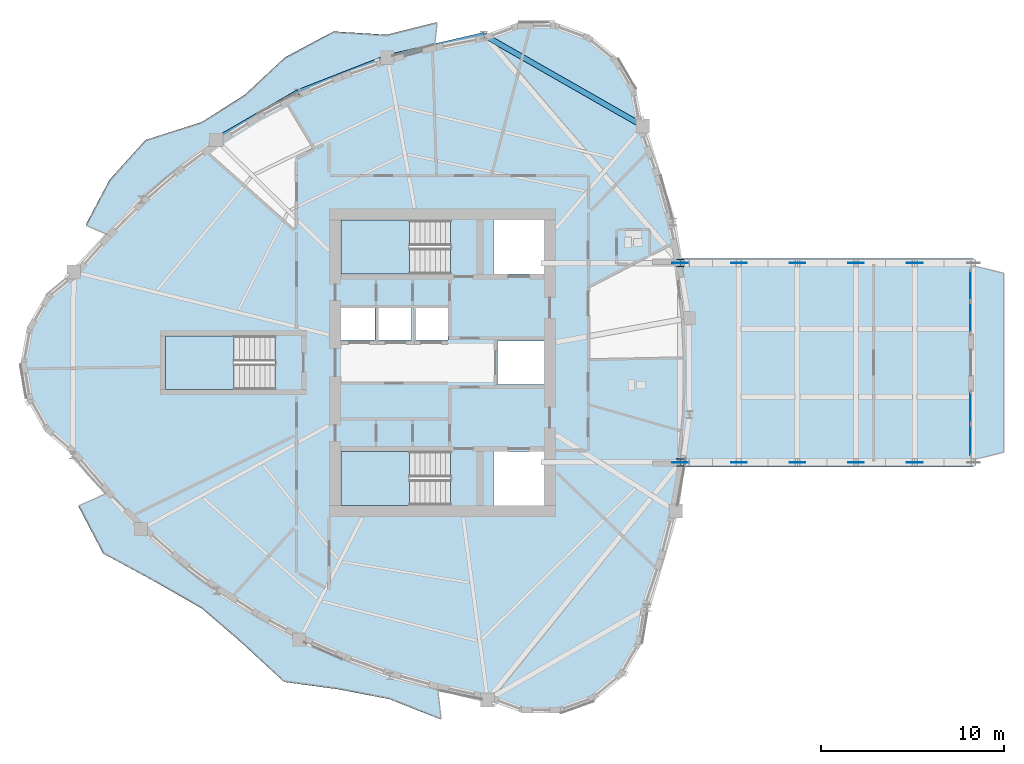
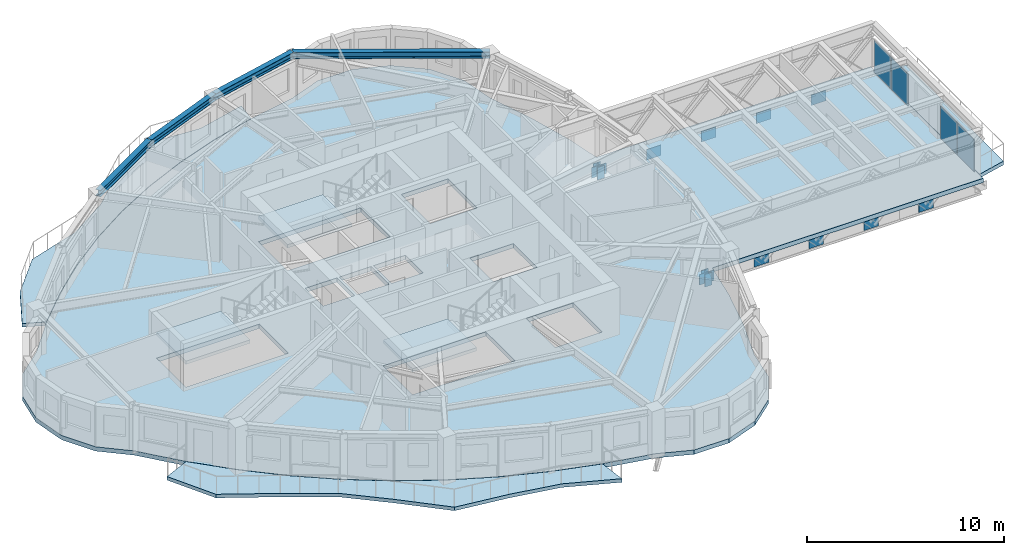
# One storey, part 3 of 13: 14 plates, 7 slabs, 4 beams, 2 members, 5 elements without a shape of their own.
"""IFC4 building model written with IfcOpenShell, lengths in metres."""

from ifc_helpers import new_model, si_unit, direction, frame, origin, origin_2d, place, context, subcontext, project, spatial, polyline, rectangle, i_section, outline, extrude, source, transform, mapped, material, layer, layer_set, material_profile, profile_set, type_object, element, aggregate, save


model = new_model("IFC4")

# Units and contexts
model_context = context("Model", 3, precision=1e-05, world=origin(), true_north=direction((0.0, 1.0)))
body_context = subcontext(model_context, "Body", "Model", "MODEL_VIEW")
ifc_project = project(units=[si_unit("LENGTHUNIT", "METRE"), si_unit("AREAUNIT", "SQUARE_METRE"), si_unit("VOLUMEUNIT", "CUBIC_METRE"), si_unit("PLANEANGLEUNIT", "RADIAN"), si_unit("MASSUNIT", "GRAM", prefix="KILO")], contexts=[model_context])

# Site, building, storey
site_placement = place(None, origin())
site = spatial("IfcSite", under=ifc_project, at=site_placement, CompositionType="ELEMENT")
building_placement = place(site_placement, origin())
building = spatial("IfcBuilding", under=site, at=building_placement, Name="Qafzar Sky-Pleat Residences", CompositionType="ELEMENT")
storey_placement = place(building_placement, frame((0.0, 0.0, 152.199951171875)))
storey = spatial("IfcBuildingStorey", under=building, at=storey_placement, Name="L45", CompositionType="ELEMENT", Elevation=152.199951171875)

# Members
ifc_material_1 = material(Name="Steel S460", Category="steel")
ifc_material_profile_1 = material_profile(ifc_material_1, i_section(OverallWidth=0.408935546875, OverallDepth=0.425048828125, WebThickness=0.030029296875, FlangeThickness=0.048095703125, FilletRadius=0.014892578125, at=origin_2d()), Name="HD 400x421")
ifc_profile_set_1 = profile_set([ifc_material_profile_1], Name="Steel S460")
member_type = type_object("IfcMemberType", Name="MEM-SB-POST", PredefinedType="POST", material=ifc_profile_set_1)
shared_shape_1 = source(origin(), body_context, "Body", "SweptSolid", [
    extrude(i_section(OverallWidth=0.408935546875, OverallDepth=0.425048828125, WebThickness=0.030029296875, FlangeThickness=0.048095703125, FilletRadius=0.014892578125, at=origin_2d()), origin(), (0.0, 0.0, 1.0), 0.780029296875),
])
for number, where, z_axis, x_axis, name in (
    (1, (43.35009765625, 31.449951171875, -1.06494140625), (0.0, 0.0, 1.0), (1.0, 0.0, 0.0), "SB-4 Root Truss Post L0"),
    (2, (43.35009765625, 20.550048828125, -1.06494140625), (0.0, 0.0, 1.0), (1.0, 0.0, 0.0), "SB-4 Root Truss Post R0"),
):
    element("IfcMember", number, at=place(storey_placement, frame(where, z_axis=z_axis, x_axis=x_axis)), inside=storey, type_object=member_type, Name=name, PredefinedType="POST", context=body_context, shape_type="MappedRepresentation", body=[
        mapped(shared_shape_1, transform((0.0, 0.0, 0.0), x_axis=(1.0, 0.0, 0.0), y_axis=(0.0, 1.0, 0.0), z_axis=(0.0, 0.0, 1.0), scale=1.0)),
    ])

# Beams
ifc_material_2 = material(Name="Steel S355", Category="steel")
ifc_material_profile_2 = material_profile(ifc_material_2, i_section(OverallWidth=0.300048828125, OverallDepth=0.39990234375, WebThickness=0.013427734375, FlangeThickness=0.02392578125, FilletRadius=0.027099609375, at=origin_2d()), Name="HEB 400")
ifc_profile_set_2 = profile_set([ifc_material_profile_2], Name="Steel S355")
beam_type = type_object("IfcBeamType", Name="BM-SPAN-HEB400", PredefinedType="SPANDREL", material=ifc_profile_set_2)
shared_shape_2 = source(origin(), body_context, "Body", "SweptSolid", [
    extrude(i_section(OverallWidth=0.300048828125, OverallDepth=0.39990234375, WebThickness=0.013427734375, FlangeThickness=0.02392578125, FilletRadius=0.027099609375, at=origin_2d()), origin(), (0.0, 0.0, 1.0), 10.017578125),
])
beam_1_placement = place(storey_placement, frame((41.31103515625, 38.954833984375, 2.733154296875), z_axis=(-0.868435045366, 0.495802956809, 0.0), x_axis=(-0.495802956809, -0.868435045366, 0.0)))
element("IfcBeam", 3, at=beam_1_placement, inside=storey, type_object=beam_type, Name="L45 Perimeter Spandrel Beam 13", PredefinedType="SPANDREL", context=body_context, shape_type="MappedRepresentation", body=[
    mapped(shared_shape_2, transform((0.0, 0.0, 0.0), x_axis=(1.0, 0.0, 0.0), y_axis=(0.0, 1.0, 0.0), z_axis=(0.0, 0.0, 1.0), scale=1.0)),
])
shared_shape_3 = source(origin(), body_context, "Body", "SweptSolid", [
    extrude(i_section(OverallWidth=0.300048828125, OverallDepth=0.39990234375, WebThickness=0.013427734375, FlangeThickness=0.02392578125, FilletRadius=0.027099609375, at=origin_2d()), origin(), (0.0, 0.0, 1.0), 5.415771484375),
])
beam_2_placement = place(storey_placement, frame((32.611328125, 43.921630859375, 2.733154296875), z_axis=(-0.974016815393, -0.226475701418, 0.0), x_axis=(0.226475701418, -0.974016815393, 0.0)))
element("IfcBeam", 4, at=beam_2_placement, inside=storey, type_object=beam_type, Name="L45 Perimeter Spandrel Beam 14", PredefinedType="SPANDREL", context=body_context, shape_type="MappedRepresentation", body=[
    mapped(shared_shape_3, transform((0.0, 0.0, 0.0), x_axis=(1.0, 0.0, 0.0), y_axis=(0.0, 1.0, 0.0), z_axis=(0.0, 0.0, 1.0), scale=1.0)),
])
shared_shape_4 = source(origin(), body_context, "Body", "SweptSolid", [
    extrude(i_section(OverallWidth=0.300048828125, OverallDepth=0.39990234375, WebThickness=0.013427734375, FlangeThickness=0.02392578125, FilletRadius=0.027099609375, at=origin_2d()), origin(), (0.0, 0.0, 1.0), 5.2412109375),
])
beam_3_placement = place(storey_placement, frame((27.336181640625, 42.695068359375, 2.733154296875), z_axis=(-0.931333468568, -0.364167503114, 0.0), x_axis=(0.364167503114, -0.931333468568, 0.0)))
element("IfcBeam", 5, at=beam_3_placement, inside=storey, type_object=beam_type, Name="L45 Perimeter Spandrel Beam 15", PredefinedType="SPANDREL", context=body_context, shape_type="MappedRepresentation", body=[
    mapped(shared_shape_4, transform((0.0, 0.0, 0.0), x_axis=(1.0, 0.0, 0.0), y_axis=(0.0, 1.0, 0.0), z_axis=(0.0, 0.0, 1.0), scale=1.0)),
])
shared_shape_5 = source(origin(), body_context, "Body", "SweptSolid", [
    extrude(i_section(OverallWidth=0.300048828125, OverallDepth=0.39990234375, WebThickness=0.013427734375, FlangeThickness=0.02392578125, FilletRadius=0.027099609375, at=origin_2d()), origin(), (0.0, 0.0, 1.0), 5.181884765625),
])
beam_4_placement = place(storey_placement, frame((22.454833984375, 40.786376953125, 2.733154296875), z_axis=(-0.866010618649, -0.500025607732, 0.0), x_axis=(0.500025607732, -0.866010618649, 0.0)))
element("IfcBeam", 6, at=beam_4_placement, inside=storey, type_object=beam_type, Name="L45 Perimeter Spandrel Beam 16", PredefinedType="SPANDREL", context=body_context, shape_type="MappedRepresentation", body=[
    mapped(shared_shape_5, transform((0.0, 0.0, 0.0), x_axis=(1.0, 0.0, 0.0), y_axis=(0.0, 1.0, 0.0), z_axis=(0.0, 0.0, 1.0), scale=1.0)),
])

# Slabs
ifc_material_3 = material(Name="Concrete C40/50", Category="concrete")
ifc_layer_1 = layer(ifc_material_3, 0.219970703125)
ifc_layer_set_1 = layer_set([ifc_layer_1], Name="Concrete C40/50")
slab_type_1 = type_object("IfcSlabType", Name="SLAB-BAL-220", PredefinedType="USERDEFINED", material=ifc_layer_set_1)
slab_1_placement = place(storey_placement, frame((0.0, 0.0, -0.219970703125)))
element("IfcSlab", 7, at=slab_1_placement, inside=storey, type_object=slab_type_1, Name="L45 Pleated Stone Balcony 1", ObjectType="BALCONY", PredefinedType="USERDEFINED", context=body_context, shape_type="SweptSolid", body=[
    extrude(outline(polyline([(27.335693359375, 42.70703125), (24.843994140625, 41.837646484375), (22.45068359375, 40.797607421875), (20.15576171875, 39.58642578125), (17.959716796875, 38.20458984375), (15.8623046875, 36.652099609375), (13.863525390625, 34.9287109375), (11.96337890625, 33.034912109375), (10.82958984375, 33.532470703125), (12.140380859375, 36.01708984375), (14.1103515625, 38.189453125), (17.173095703125, 39.16064453125), (19.536865234375, 40.65869140625), (21.735107421875, 42.705810546875), (24.388427734375, 44.12353515625), (27.286376953125, 43.944091796875), (30.06201171875, 44.635986328125), (29.92578125, 43.405517578125), (27.335693359375, 42.70703125)])), origin(), (0.0, 0.0, 1.0), 0.219970703125),
])
slab_2_placement = place(storey_placement, frame((0.0, 0.0, -0.219970703125)))
element("IfcSlab", 8, at=slab_2_placement, inside=storey, type_object=slab_type_1, Name="L45 Pleated Stone Balcony 2", ObjectType="BALCONY", PredefinedType="USERDEFINED", context=body_context, shape_type="SweptSolid", body=[
    extrude(outline(polyline([(13.839111328125, 16.884521484375), (15.85498046875, 15.1123046875), (17.972900390625, 13.5126953125), (20.193115234375, 12.085693359375), (22.514892578125, 10.83154296875), (24.938720703125, 9.750244140625), (27.46435546875, 8.841796875), (30.091552734375, 8.105712890625), (30.28173828125, 6.47900390625), (27.42578125, 7.604248046875), (24.635498046875, 8.140625), (21.685791015625, 8.538818359375), (19.3916015625, 10.6572265625), (17.197998046875, 12.54736328125), (14.635498046875, 14.018798828125), (11.789306640625, 15.564697265625), (10.429443359375, 18.161865234375), (11.92529296875, 18.8291015625), (13.839111328125, 16.884521484375)])), origin(), (0.0, 0.0, 1.0), 0.219970703125),
])
ifc_layer_2 = layer(ifc_material_3, 0.22998046875)
ifc_layer_set_2 = layer_set([ifc_layer_2], Name="Concrete C40/50")
slab_type_2 = type_object("IfcSlabType", Name="SLAB-BAL-230", PredefinedType="USERDEFINED", material=ifc_layer_set_2)
slab_3_placement = place(storey_placement, frame((0.0, 0.0, -0.22998046875)))
element("IfcSlab", 9, at=slab_3_placement, inside=storey, type_object=slab_type_2, Name="L45 SB-4 Tip Observation Balcony", ObjectType="BALCONY", PredefinedType="USERDEFINED", context=body_context, shape_type="SweptSolid", body=[
    extrude(outline(polyline([(59.40771484375, 20.699951171875), (61.04248046875, 21.10009765625), (61.04248046875, 30.89990234375), (59.40771484375, 31.300048828125), (59.40771484375, 20.699951171875)])), origin(), (0.0, 0.0, 1.0), 0.22998046875),
])

# Stair, slab
stair_type = type_object("IfcStairType", Name="STAIR-H320", PredefinedType="HALF_TURN_STAIR", material=ifc_material_3)
stair_1_placement = place(storey_placement, origin())
stair_1 = element("IfcStair", 10, at=stair_1_placement, inside=storey, type_object=stair_type, Name="L45 Protected Exit Stair ST1", PredefinedType="HALF_TURN_STAIR")
ifc_layer_3 = layer(ifc_material_3, 0.199951171875)
ifc_layer_set_3 = layer_set([ifc_layer_3], Name="Concrete C40/50")
slab_type_3 = type_object("IfcSlabType", Name="SLAB-LANDING-200", PredefinedType="LANDING", material=ifc_layer_set_3)
slab_4_placement = place(storey_placement, frame((0.0, 0.0, 1.400146484375)))
slab_4 = element("IfcSlab", 11, at=slab_4_placement, type_object=slab_type_3, Name="ST1 landing 1", PredefinedType="LANDING", context=body_context, shape_type="SweptSolid", body=[
    extrude(outline(polyline([(28.56005859375, 21.14990234375), (24.800048828125, 21.14990234375), (24.800048828125, 18.199951171875), (28.56005859375, 18.199951171875), (28.56005859375, 21.14990234375)])), origin(), (0.0, 0.0, 1.0), 0.199951171875),
])
aggregate(stair_1, [slab_4])

stair_2_placement = place(storey_placement, origin())
stair_2 = element("IfcStair", 12, at=stair_2_placement, inside=storey, type_object=stair_type, Name="L45 Protected Exit Stair ST2", PredefinedType="HALF_TURN_STAIR")
slab_5_placement = place(storey_placement, frame((0.0, 0.0, 1.400146484375)))
slab_5 = element("IfcSlab", 13, at=slab_5_placement, type_object=slab_type_3, Name="ST2 landing 1", PredefinedType="LANDING", context=body_context, shape_type="SweptSolid", body=[
    extrude(outline(polyline([(28.56005859375, 33.800048828125), (24.800048828125, 33.800048828125), (24.800048828125, 30.85009765625), (28.56005859375, 30.85009765625), (28.56005859375, 33.800048828125)])), origin(), (0.0, 0.0, 1.0), 0.199951171875),
])
aggregate(stair_2, [slab_5])

stair_3_placement = place(storey_placement, origin())
stair_3 = element("IfcStair", 14, at=stair_3_placement, inside=storey, type_object=stair_type, Name="L45 Protected Exit Stair ST3", PredefinedType="HALF_TURN_STAIR")
slab_6_placement = place(storey_placement, frame((0.0, 0.0, 1.400146484375)))
slab_6 = element("IfcSlab", 15, at=slab_6_placement, type_object=slab_type_3, Name="ST3 landing 1", PredefinedType="LANDING", context=body_context, shape_type="SweptSolid", body=[
    extrude(outline(polyline([(18.9599609375, 27.47509765625), (15.199951171875, 27.47509765625), (15.199951171875, 24.52490234375), (18.9599609375, 24.52490234375), (18.9599609375, 27.47509765625)])), origin(), (0.0, 0.0, 1.0), 0.199951171875),
])
aggregate(stair_3, [slab_6])

# Slab
ifc_layer_4 = layer(ifc_material_3, 0.264892578125)
ifc_layer_set_4 = layer_set([ifc_layer_4], Name="Concrete C40/50")
slab_type_4 = type_object("IfcSlabType", Name="SLAB-SB-265", PredefinedType="FLOOR", material=ifc_layer_set_4)
slab_7_placement = place(storey_placement, frame((0.0, 0.0, -0.264892578125)))
element("IfcSlab", 16, at=slab_7_placement, inside=storey, type_object=slab_type_4, Name="L45 Structural Floor Slab", PredefinedType="FLOOR", context=body_context, shape_type="SweptSolid", body=[
    extrude(outline(polyline([(43.11669921875, 17.890380859375), (42.44140625, 15.248779296875), (41.565673828125, 12.60498046875), (41.22900390625, 10.600341796875), (40.220947265625, 8.835205078125), (38.666015625, 7.52587890625), (36.754638671875, 6.833740234375), (34.721923828125, 6.84375), (32.817626953125, 7.55419921875), (30.090087890625, 8.11767578125), (27.464599609375, 8.853759765625), (24.94091796875, 9.76220703125), (22.51904296875, 10.843017578125), (20.198974609375, 12.09619140625), (17.98046875, 13.52197265625), (15.864013671875, 15.1201171875), (13.849365234375, 16.890869140625), (11.936279296875, 18.833984375), (10.125244140625, 20.94970703125), (8.600830078125, 22.252197265625), (7.61083984375, 23.995849609375), (7.273681640625, 25.972412109375), (7.6298828125, 27.94580078125), (8.63671875, 29.6796875), (10.173583984375, 30.96728515625), (11.974365234375, 33.0302734375), (13.87353515625, 34.92236328125), (15.87109375, 36.644287109375), (17.96728515625, 38.1953125), (20.161865234375, 39.576171875), (22.454833984375, 40.786376953125), (24.84619140625, 41.825927734375), (27.336181640625, 42.695068359375), (29.924560546875, 43.3935546875), (32.611328125, 43.921630859375), (34.494873046875, 44.60888671875), (36.5, 44.61376953125), (38.386962890625, 43.935791015625), (39.93017578125, 42.655517578125), (40.9453125, 40.92626953125), (41.31103515625, 38.954833984375), (42.23779296875, 36.32861328125), (42.964111328125, 33.7001953125), (43.364013671875, 31.699951171875), (59.392578125, 31.699951171875), (59.392578125, 20.300048828125), (43.550537109375, 20.300048828125), (43.11669921875, 17.890380859375)]), holes=[polyline([(30.797119140625, 21.14990234375), (24.800048828125, 21.14990234375), (24.800048828125, 18.199951171875), (30.797119140625, 18.199951171875), (30.797119140625, 21.14990234375)]), polyline([(30.797119140625, 33.800048828125), (24.800048828125, 33.800048828125), (24.800048828125, 30.85009765625), (30.797119140625, 30.85009765625), (30.797119140625, 33.800048828125)]), polyline([(21.197021484375, 27.47509765625), (15.199951171875, 27.47509765625), (15.199951171875, 24.52490234375), (21.197021484375, 24.52490234375), (21.197021484375, 27.47509765625)]), polyline([(24.800048828125, 27.25), (26.64990234375, 27.25), (26.64990234375, 29.050048828125), (24.800048828125, 29.050048828125), (24.800048828125, 27.25)]), polyline([(26.800048828125, 27.25), (28.64990234375, 27.25), (28.64990234375, 29.050048828125), (26.800048828125, 29.050048828125), (26.800048828125, 27.25)]), polyline([(28.800048828125, 27.25), (30.64990234375, 27.25), (30.64990234375, 29.050048828125), (28.800048828125, 29.050048828125), (28.800048828125, 27.25)]), polyline([(33.14990234375, 18.199951171875), (35.89990234375, 18.199951171875), (35.89990234375, 21.14990234375), (33.14990234375, 21.14990234375), (33.14990234375, 18.199951171875)]), polyline([(33.14990234375, 30.85009765625), (35.89990234375, 30.85009765625), (35.89990234375, 33.800048828125), (33.14990234375, 33.800048828125), (33.14990234375, 30.85009765625)]), polyline([(33.35009765625, 24.800048828125), (35.89990234375, 24.800048828125), (35.89990234375, 27.199951171875), (33.35009765625, 27.199951171875), (33.35009765625, 24.800048828125)])]), origin(), (0.0, 0.0, 1.0), 0.264892578125),
])

# Plates
ifc_layer_5 = layer(ifc_material_2, 0.034912109375)
ifc_layer_set_5 = layer_set([ifc_layer_5], Name="Steel S355")
plate_type_1 = type_object("IfcPlateType", Name="PLT-NODE-SBN1", PredefinedType="SHEET", material=ifc_layer_set_5)
shared_shape_6 = source(origin(), body_context, "Body", "SweptSolid", [
    extrude(rectangle(XDim=0.85009765625, YDim=0.034912109375, at=origin_2d()), origin(), (0.0, 0.0, 1.0), 0.64990234375),
])
for number, where, z_axis, x_axis, name in (
    (17, (43.35009765625, 31.449951171875, -0.989990234375), (0.0, 0.0, 1.0), (1.0, 0.0, 0.0), "SB-4 Truss Node Plate L0"),
    (18, (46.55859375, 31.449951171875, -0.989990234375), (0.0, 0.0, 1.0), (1.0, 0.0, 0.0), "SB-4 Truss Node Plate L1"),
    (19, (49.76708984375, 31.449951171875, -0.989990234375), (0.0, 0.0, 1.0), (1.0, 0.0, 0.0), "SB-4 Truss Node Plate L2"),
    (20, (52.9755859375, 31.449951171875, -0.989990234375), (0.0, 0.0, 1.0), (1.0, 0.0, 0.0), "SB-4 Truss Node Plate L3"),
    (21, (56.18408203125, 31.449951171875, -0.989990234375), (0.0, 0.0, 1.0), (1.0, 0.0, 0.0), "SB-4 Truss Node Plate L4"),
    (22, (43.35009765625, 20.550048828125, -0.989990234375), (0.0, 0.0, 1.0), (1.0, 0.0, 0.0), "SB-4 Truss Node Plate R0"),
    (23, (46.55859375, 20.550048828125, -0.989990234375), (0.0, 0.0, 1.0), (1.0, 0.0, 0.0), "SB-4 Truss Node Plate R1"),
    (24, (49.76708984375, 20.550048828125, -0.989990234375), (0.0, 0.0, 1.0), (1.0, 0.0, 0.0), "SB-4 Truss Node Plate R2"),
    (25, (52.9755859375, 20.550048828125, -0.989990234375), (0.0, 0.0, 1.0), (1.0, 0.0, 0.0), "SB-4 Truss Node Plate R3"),
    (26, (56.18408203125, 20.550048828125, -0.989990234375), (0.0, 0.0, 1.0), (1.0, 0.0, 0.0), "SB-4 Truss Node Plate R4"),
):
    element("IfcPlate", number, at=place(storey_placement, frame(where, z_axis=z_axis, x_axis=x_axis)), inside=storey, type_object=plate_type_1, Name=name, PredefinedType="SHEET", context=body_context, shape_type="MappedRepresentation", body=[
        mapped(shared_shape_6, transform((0.0, 0.0, 0.0), x_axis=(1.0, 0.0, 0.0), y_axis=(0.0, 1.0, 0.0), z_axis=(0.0, 0.0, 1.0), scale=1.0)),
    ])

# Curtain wall, plates
ifc_material_4 = material(Name="Anodised bronze aluminium framing", Category="aluminium")
ifc_layer_6 = layer(ifc_material_4, 0.239990234375)
ifc_layer_set_6 = layer_set([ifc_layer_6], Name="Anodised bronze aluminium framing")
curtain_wall_type_1 = type_object("IfcCurtainWallType", Name="CW-SYS-02", PredefinedType="NOTDEFINED", material=ifc_layer_set_6)
curtain_wall_1_placement = place(storey_placement, origin())
curtain_wall_1 = element("IfcCurtainWall", 27, at=curtain_wall_1_placement, inside=storey, type_object=curtain_wall_type_1, Name="L45 CW-02 Curtain Wall CW-L45-SB-4-PROW-L", PredefinedType="NOTDEFINED")
ifc_material_5 = material(Name="Solar-control double low-E glazing", Category="glass")
ifc_layer_7 = layer(ifc_material_5, 0.031982421875)
ifc_layer_set_7 = layer_set([ifc_layer_7], Name="Solar-control double low-E glazing")
plate_type_2 = type_object("IfcPlateType", Name="CWP-02", PredefinedType="CURTAIN_PANEL", material=ifc_layer_set_7)
shared_shape_7 = source(origin(), body_context, "Body", "SweptSolid", [
    extrude(rectangle(XDim=1.677490234375, YDim=0.031982421875, at=origin_2d()), origin(), (0.0, 0.0, 1.0), 1.965087890625),
])
plate_1_placement = place(storey_placement, frame((59.24267578125, 30.226318359375, 0.0751953125), z_axis=(0.0, 0.0, 1.0), x_axis=(0.0, -1.0, 0.0)))
plate_1 = element("IfcPlate", 28, at=plate_1_placement, type_object=plate_type_2, Name="CW-02 panel 1.1", PredefinedType="CURTAIN_PANEL", context=body_context, shape_type="MappedRepresentation", body=[
    mapped(shared_shape_7, transform((0.0, 0.0, 0.0), x_axis=(1.0, 0.0, 0.0), y_axis=(0.0, 1.0, 0.0), z_axis=(0.0, 0.0, 1.0), scale=1.0)),
])
plate_2_placement = place(storey_placement, frame((59.24267578125, 28.4736328125, 0.0751953125), z_axis=(0.0, 0.0, 1.0), x_axis=(0.0, -1.0, 0.0)))
plate_2 = element("IfcPlate", 29, at=plate_2_placement, type_object=plate_type_2, Name="CW-02 panel 2.1", PredefinedType="CURTAIN_PANEL", context=body_context, shape_type="MappedRepresentation", body=[
    mapped(shared_shape_7, transform((0.0, 0.0, 0.0), x_axis=(1.0, 0.0, 0.0), y_axis=(0.0, 1.0, 0.0), z_axis=(0.0, 0.0, 1.0), scale=1.0)),
])
aggregate(curtain_wall_1, [plate_1, plate_2])

ifc_layer_8 = layer(ifc_material_4, 0.219970703125)
ifc_layer_set_8 = layer_set([ifc_layer_8], Name="Anodised bronze aluminium framing")
curtain_wall_type_2 = type_object("IfcCurtainWallType", Name="CW-SYS-03", PredefinedType="NOTDEFINED", material=ifc_layer_set_8)
curtain_wall_2_placement = place(storey_placement, origin())
curtain_wall_2 = element("IfcCurtainWall", 30, at=curtain_wall_2_placement, inside=storey, type_object=curtain_wall_type_2, Name="L45 CW-03 Curtain Wall CW-L45-SB-4-PROW-R", PredefinedType="NOTDEFINED")
ifc_layer_9 = layer(ifc_material_5, 0.030029296875)
ifc_layer_set_9 = layer_set([ifc_layer_9], Name="Solar-control double low-E glazing")
plate_type_3 = type_object("IfcPlateType", Name="CWP-03", PredefinedType="CURTAIN_PANEL", material=ifc_layer_set_9)
shared_shape_8 = source(origin(), body_context, "Body", "SweptSolid", [
    extrude(rectangle(XDim=1.68505859375, YDim=0.030029296875, at=origin_2d()), origin(), (0.0, 0.0, 1.0), 1.97509765625),
])
plate_3_placement = place(storey_placement, frame((59.24267578125, 23.527587890625, 0.070068359375), z_axis=(0.0, 0.0, 1.0), x_axis=(0.0, -1.0, 0.0)))
plate_3 = element("IfcPlate", 31, at=plate_3_placement, type_object=plate_type_3, Name="CW-03 panel 1.1", PredefinedType="CURTAIN_PANEL", context=body_context, shape_type="MappedRepresentation", body=[
    mapped(shared_shape_8, transform((0.0, 0.0, 0.0), x_axis=(1.0, 0.0, 0.0), y_axis=(0.0, 1.0, 0.0), z_axis=(0.0, 0.0, 1.0), scale=1.0)),
])
plate_4_placement = place(storey_placement, frame((59.24267578125, 21.7724609375, 0.070068359375), z_axis=(0.0, 0.0, 1.0), x_axis=(0.0, -1.0, 0.0)))
plate_4 = element("IfcPlate", 32, at=plate_4_placement, type_object=plate_type_3, Name="CW-03 panel 2.1", PredefinedType="CURTAIN_PANEL", context=body_context, shape_type="MappedRepresentation", body=[
    mapped(shared_shape_8, transform((0.0, 0.0, 0.0), x_axis=(1.0, 0.0, 0.0), y_axis=(0.0, 1.0, 0.0), z_axis=(0.0, 0.0, 1.0), scale=1.0)),
])
aggregate(curtain_wall_2, [plate_3, plate_4])

save(model, "model.ifc")
